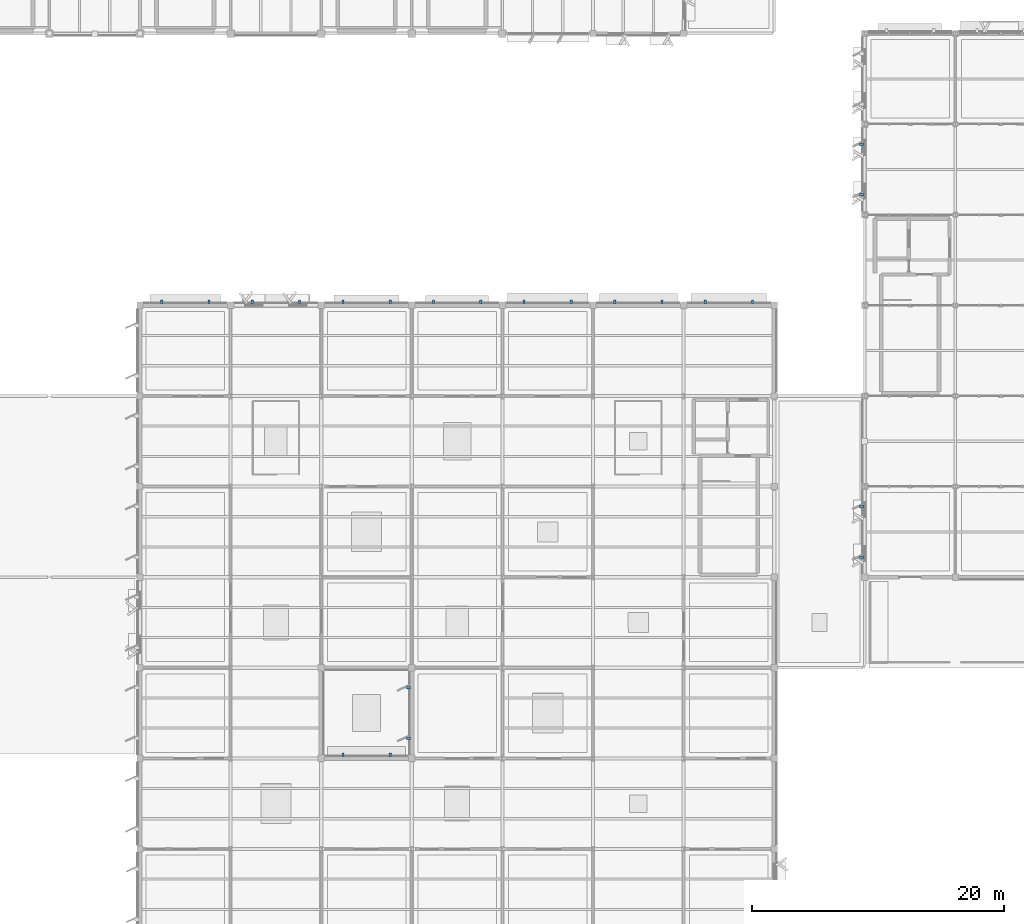
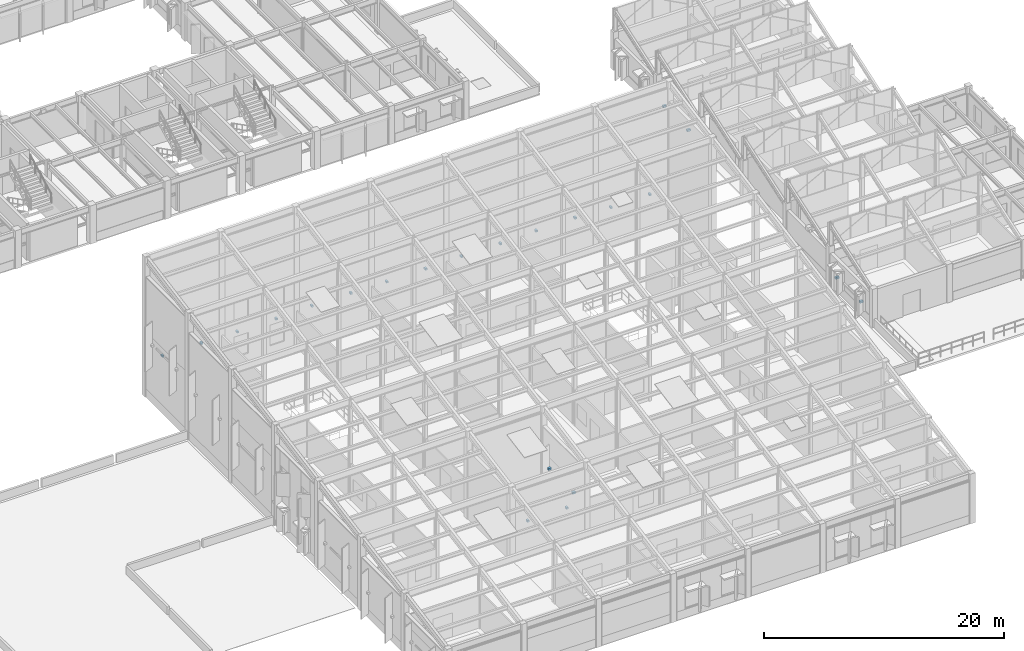
# One storey, part 44 of 82: 22 discrete accessories.
"""IFC4 building model written with IfcOpenShell, lengths in metres."""

from ifc_helpers import new_model, si_unit, direction, frame, origin, origin_2d, place, context, subcontext, project, spatial, rectangle, extrude, material, type_object, element, save


model = new_model("IFC4")

# Units and contexts
model_context = context("Model", 3, precision=1e-05, world=origin(), true_north=direction((0.0, 1.0)))
body_context = subcontext(model_context, "Body", "Model", "MODEL_VIEW")
ifc_project = project(units=[si_unit("LENGTHUNIT", "METRE"), si_unit("AREAUNIT", "SQUARE_METRE"), si_unit("VOLUMEUNIT", "CUBIC_METRE"), si_unit("PLANEANGLEUNIT", "RADIAN"), si_unit("MASSUNIT", "GRAM", prefix="KILO")], contexts=[model_context])

# Site, building, storey
site_placement = place(None, origin())
site = spatial("IfcSite", under=ifc_project, at=site_placement, CompositionType="ELEMENT")
building_placement = place(site_placement, origin())
building = spatial("IfcBuilding", under=site, at=building_placement, Name="Sillqori Civic Hall", CompositionType="ELEMENT")
storey_placement = place(building_placement, frame((0.0, 0.0, 14.10009765625)))
storey = spatial("IfcBuildingStorey", under=building, at=storey_placement, Name="L04", CompositionType="ELEMENT", Elevation=14.10009765625)

# Discrete accessories
ifc_material = material(Name="Steel ASTM A572 Grade 50", Category="steel")
discrete_accessory_type_1 = type_object("IfcDiscreteAccessoryType", Name="BRK-FAC-240", PredefinedType="BRACKET", material=ifc_material)
for number, where, z_axis, x_axis, name in (
    (1, (66.52392578125, 57.8701171875, 3.14990234375), (0.0, 0.0, 1.0), (1.0, 0.0, 0.0), "Sun-hood steel bracket L04-09-07-N.1"),
    (2, (70.27587890625, 57.8701171875, 3.14990234375), (0.0, 0.0, 1.0), (1.0, 0.0, 0.0), "Sun-hood steel bracket L04-09-07-N.2"),
    (3, (73.72412109375, 57.8701171875, 3.10009765625), (0.0, 0.0, 1.0), (1.0, 0.0, 0.0), "Sun-hood steel bracket L04-10-07-N.1"),
    (4, (77.47607421875, 57.8701171875, 3.10009765625), (0.0, 0.0, 1.0), (1.0, 0.0, 0.0), "Sun-hood steel bracket L04-10-07-N.2"),
    (5, (80.924072265625, 21.8701171875, 3.14990234375), (0.0, 0.0, 1.0), (1.0, 0.0, 0.0), "Sun-hood steel bracket L04-11-02-N.1"),
    (6, (84.676025390625, 21.8701171875, 3.14990234375), (0.0, 0.0, 1.0), (1.0, 0.0, 0.0), "Sun-hood steel bracket L04-11-02-N.2"),
    (7, (80.924072265625, 57.8701171875, 3.19970703125), (0.0, 0.0, 1.0), (1.0, 0.0, 0.0), "Sun-hood steel bracket L04-11-07-N.1"),
    (8, (84.676025390625, 57.8701171875, 3.19970703125), (0.0, 0.0, 1.0), (1.0, 0.0, 0.0), "Sun-hood steel bracket L04-11-07-N.2"),
    (9, (88.1240234375, 57.8701171875, 3.14990234375), (0.0, 0.0, 1.0), (1.0, 0.0, 0.0), "Sun-hood steel bracket L04-12-07-N.1"),
    (10, (91.8759765625, 57.8701171875, 3.14990234375), (0.0, 0.0, 1.0), (1.0, 0.0, 0.0), "Sun-hood steel bracket L04-12-07-N.2"),
    (11, (95.323974609375, 57.8701171875, 3.19970703125), (0.0, 0.0, 1.0), (1.0, 0.0, 0.0), "Sun-hood steel bracket L04-13-07-N.1"),
    (12, (99.075927734375, 57.8701171875, 3.19970703125), (0.0, 0.0, 1.0), (1.0, 0.0, 0.0), "Sun-hood steel bracket L04-13-07-N.2"),
    (13, (102.52392578125, 57.8701171875, 3.2998046875), (0.0, 0.0, 1.0), (1.0, 0.0, 0.0), "Sun-hood steel bracket L04-14-07-N.1"),
    (14, (106.27587890625, 57.8701171875, 3.2998046875), (0.0, 0.0, 1.0), (1.0, 0.0, 0.0), "Sun-hood steel bracket L04-14-07-N.2"),
    (15, (109.72412109375, 57.8701171875, 3.14990234375), (0.0, 0.0, 1.0), (1.0, 0.0, 0.0), "Sun-hood steel bracket L04-15-07-N.1"),
    (16, (113.47607421875, 57.8701171875, 3.14990234375), (0.0, 0.0, 1.0), (1.0, 0.0, 0.0), "Sun-hood steel bracket L04-15-07-N.2"),
):
    element("IfcDiscreteAccessory", number, at=place(storey_placement, frame(where, z_axis=z_axis, x_axis=x_axis)), inside=storey, type_object=discrete_accessory_type_1, Name=name, PredefinedType="BRACKET", context=body_context, shape_type="SweptSolid", body=[
        extrude(rectangle(XDim=0.179931640625, YDim=0.280029296875, at=origin_2d()), origin(), (0.0, 0.0, 1.0), 0.179931640625),
    ])
discrete_accessory_type_2 = type_object("IfcDiscreteAccessoryType", Name="BRK-FIN-280", PredefinedType="BRACKET", material=ifc_material)
for number, where, z_axis, x_axis, name in (
    (17, (86.1201171875, 23.18994140625, 3.38232421875), (0.0, 0.0, 1.0), (0.0, 1.0, 0.0), "Brise-soleil fin steel bracket L04-12-03-W.1"),
    (18, (86.1201171875, 27.2099609375, 3.38232421875), (0.0, 0.0, 1.0), (0.0, 1.0, 0.0), "Brise-soleil fin steel bracket L04-12-03-W.2"),
    (19, (122.1298828125, 37.590087890625, 1.5), (0.0, 0.0, 1.0), (0.0, 1.0, 0.0), "Brise-soleil fin steel bracket L04-17-05-W.1"),
    (20, (122.1298828125, 41.610107421875, 1.5), (0.0, 0.0, 1.0), (0.0, 1.0, 0.0), "Brise-soleil fin steel bracket L04-17-05-W.2"),
    (21, (122.1298828125, 66.389892578125, 1.5), (0.0, 0.0, 1.0), (0.0, 1.0, 0.0), "Brise-soleil fin steel bracket L04-17-09-W.1"),
    (22, (122.1298828125, 70.409912109375, 1.5), (0.0, 0.0, 1.0), (0.0, 1.0, 0.0), "Brise-soleil fin steel bracket L04-17-09-W.2"),
):
    element("IfcDiscreteAccessory", number, at=place(storey_placement, frame(where, z_axis=z_axis, x_axis=x_axis)), inside=storey, type_object=discrete_accessory_type_2, Name=name, PredefinedType="BRACKET", context=body_context, shape_type="SweptSolid", body=[
        extrude(rectangle(XDim=0.219970703125, YDim=0.320068359375, at=origin_2d()), origin(), (0.0, 0.0, 1.0), 0.199951171875),
    ])

save(model, "model.ifc")
